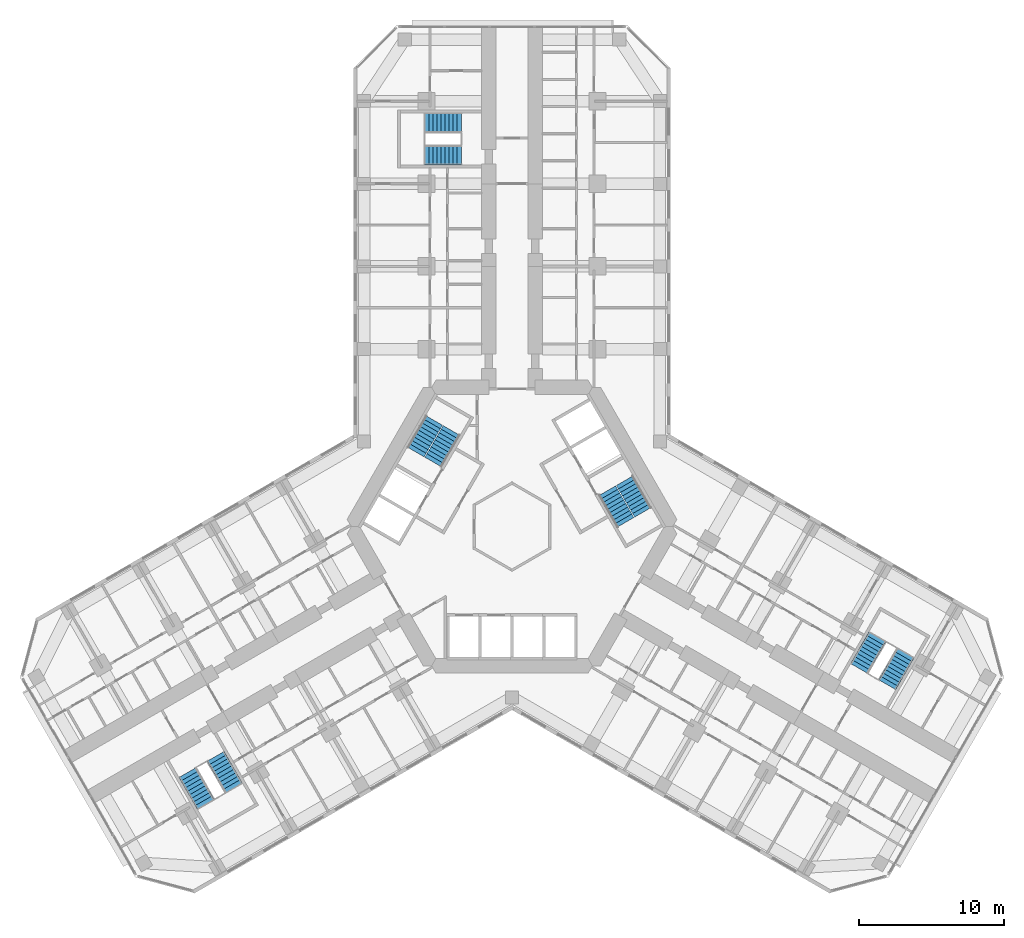
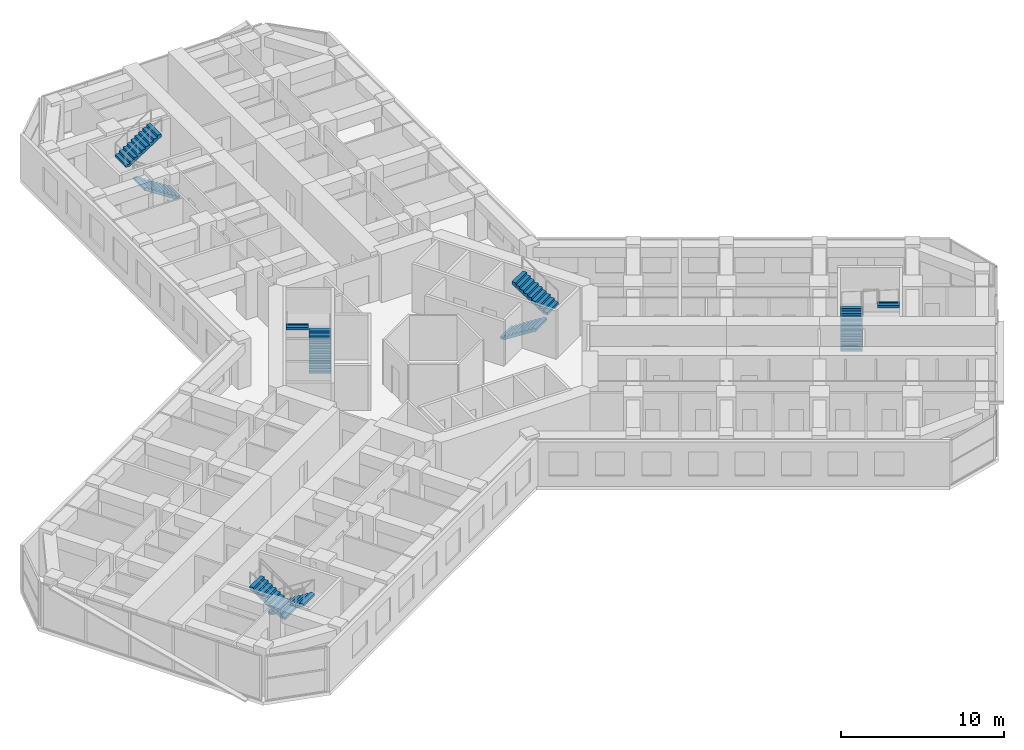
# One storey, part 21 of 22: 10 stair flights, 5 elements without a shape of their own.
"""IFC4 building model written with IfcOpenShell, lengths in metres."""

from ifc_helpers import new_model, si_unit, direction, frame, origin, place, context, subcontext, project, spatial, polyline, outline, extrude, material, type_object, element, aggregate, save


model = new_model("IFC4")

# Units and contexts
model_context = context("Model", 3, precision=1e-05, world=origin(), true_north=direction((0.0, 1.0)))
body_context = subcontext(model_context, "Body", "Model", "MODEL_VIEW")
ifc_project = project(units=[si_unit("LENGTHUNIT", "METRE"), si_unit("AREAUNIT", "SQUARE_METRE"), si_unit("VOLUMEUNIT", "CUBIC_METRE"), si_unit("PLANEANGLEUNIT", "RADIAN"), si_unit("MASSUNIT", "GRAM", prefix="KILO")], contexts=[model_context])

# Site, building, storey
site_placement = place(None, origin())
site = spatial("IfcSite", under=ifc_project, at=site_placement, CompositionType="ELEMENT")
building_placement = place(site_placement, origin())
building = spatial("IfcBuilding", under=site, at=building_placement, Name="Kosmar Iwan School Tower", CompositionType="ELEMENT")
storey_placement = place(building_placement, frame((0.0, 0.0, 95.199951171875)))
storey = spatial("IfcBuildingStorey", under=building, at=storey_placement, Name="L23", CompositionType="ELEMENT", Elevation=95.199951171875)

# Stair, stair flights
ifc_material_1 = material(Name="Concrete C35/45", Category="concrete")
stair_type_1 = type_object("IfcStairType", Name="Escape stair 3600", PredefinedType="HALF_TURN_STAIR", material=ifc_material_1)
stair_1_placement = place(storey_placement, origin())
stair_1 = element("IfcStair", 1, at=stair_1_placement, inside=storey, type_object=stair_type_1, Name="Stair WS1 L23", PredefinedType="HALF_TURN_STAIR")
ifc_material_2 = material(Name="Concrete C35/45", Category="concrete")
stair_flight_type_1 = type_object("IfcStairFlightType", Name="Escape stair flight 1350", PredefinedType="STRAIGHT", material=ifc_material_2)
stair_flight_1_placement = place(storey_placement, frame((-3.5, 25.625, 0.0), z_axis=(0.0, 0.0, 1.0), x_axis=(-1.0, 0.0, 0.0)))
stair_flight_1 = element("IfcStairFlight", 2, at=stair_flight_1_placement, type_object=stair_flight_type_1, Name="WS1 flight 1", NumberOfRisers=10, NumberOfTreads=9, PredefinedType="STRAIGHT", RiserHeight=0.18, TreadLength=0.28, context=body_context, shape_type="SweptSolid", body=[
    extrude(outline(polyline([(0.0, 0.0), (0.0, 0.179931640625), (0.280029296875, 0.179931640625), (0.280029296875, 0.360107421875), (0.56005859375, 0.360107421875), (0.56005859375, 0.5400390625), (0.840087890625, 0.5400390625), (0.840087890625, 0.719970703125), (1.1201171875, 0.719970703125), (1.1201171875, 0.89990234375), (1.39990234375, 0.89990234375), (1.39990234375, 1.080078125), (1.679931640625, 1.080078125), (1.679931640625, 1.260009765625), (1.9599609375, 1.260009765625), (1.9599609375, 1.43994140625), (2.239990234375, 1.43994140625), (2.239990234375, 1.6201171875), (2.52001953125, 1.6201171875), (2.52001953125, 1.800048828125), (2.52001953125, 1.44189453125), (0.277099609375, 0.0), (0.0, 0.0)])), frame((0.0, 0.675048828125, 0.0), z_axis=(0.0, -1.0, 0.0), x_axis=(1.0, 0.0, 0.0)), (0.0, 0.0, 1.0), 1.35009765625),
])
stair_flight_2_placement = place(storey_placement, frame((-6.02001953125, 27.875, 1.800048828125), z_axis=(0.0, 0.0, 1.0), x_axis=(1.0, 0.0, 0.0)))
stair_flight_2 = element("IfcStairFlight", 3, at=stair_flight_2_placement, type_object=stair_flight_type_1, Name="WS1 flight 2", NumberOfRisers=10, NumberOfTreads=9, PredefinedType="STRAIGHT", RiserHeight=0.18, TreadLength=0.28, context=body_context, shape_type="SweptSolid", body=[
    extrude(outline(polyline([(0.0, 0.0), (0.0, 0.179931640625), (0.280029296875, 0.179931640625), (0.280029296875, 0.360107421875), (0.56005859375, 0.360107421875), (0.56005859375, 0.5400390625), (0.840087890625, 0.5400390625), (0.840087890625, 0.719970703125), (1.1201171875, 0.719970703125), (1.1201171875, 0.89990234375), (1.39990234375, 0.89990234375), (1.39990234375, 1.080078125), (1.679931640625, 1.080078125), (1.679931640625, 1.260009765625), (1.9599609375, 1.260009765625), (1.9599609375, 1.43994140625), (2.239990234375, 1.43994140625), (2.239990234375, 1.6201171875), (2.52001953125, 1.6201171875), (2.52001953125, 1.800048828125), (2.52001953125, 1.44189453125), (0.277099609375, 0.0), (0.0, 0.0)])), frame((0.0, 0.675048828125, 0.0), z_axis=(0.0, -1.0, 0.0), x_axis=(1.0, 0.0, 0.0)), (0.0, 0.0, 1.0), 1.35009765625),
])
aggregate(stair_1, [stair_flight_1, stair_flight_2])

stair_2_placement = place(storey_placement, origin())
stair_2 = element("IfcStair", 4, at=stair_2_placement, inside=storey, type_object=stair_type_1, Name="Stair WS2 L23", PredefinedType="HALF_TURN_STAIR")
stair_flight_3_placement = place(storey_placement, frame((-20.44189453125, -15.843505859375, 0.0), z_axis=(0.0, 0.0, 1.0), x_axis=(0.5, -0.866025403784, 0.0)))
stair_flight_3 = element("IfcStairFlight", 5, at=stair_flight_3_placement, type_object=stair_flight_type_1, Name="WS2 flight 1", NumberOfRisers=10, NumberOfTreads=9, PredefinedType="STRAIGHT", RiserHeight=0.18, TreadLength=0.28, context=body_context, shape_type="SweptSolid", body=[
    extrude(outline(polyline([(0.0, 0.0), (0.0, 0.179931640625), (0.280029296875, 0.179931640625), (0.280029296875, 0.360107421875), (0.56005859375, 0.360107421875), (0.56005859375, 0.5400390625), (0.840087890625, 0.5400390625), (0.840087890625, 0.719970703125), (1.1201171875, 0.719970703125), (1.1201171875, 0.89990234375), (1.39990234375, 0.89990234375), (1.39990234375, 1.080078125), (1.679931640625, 1.080078125), (1.679931640625, 1.260009765625), (1.9599609375, 1.260009765625), (1.9599609375, 1.43994140625), (2.239990234375, 1.43994140625), (2.239990234375, 1.6201171875), (2.52001953125, 1.6201171875), (2.52001953125, 1.800048828125), (2.52001953125, 1.44189453125), (0.277099609375, 0.0), (0.0, 0.0)])), frame((0.0, 0.675048828125, 0.0), z_axis=(0.0, -1.0, 0.0), x_axis=(1.0, 0.0, 0.0)), (0.0, 0.0, 1.0), 1.35009765625),
])
stair_flight_4_placement = place(storey_placement, frame((-21.13037109375, -19.15087890625, 1.800048828125), z_axis=(0.0, 0.0, 1.0), x_axis=(-0.5, 0.866025403784, 0.0)))
stair_flight_4 = element("IfcStairFlight", 6, at=stair_flight_4_placement, type_object=stair_flight_type_1, Name="WS2 flight 2", NumberOfRisers=10, NumberOfTreads=9, PredefinedType="STRAIGHT", RiserHeight=0.18, TreadLength=0.28, context=body_context, shape_type="SweptSolid", body=[
    extrude(outline(polyline([(0.0, 0.0), (0.0, 0.179931640625), (0.280029296875, 0.179931640625), (0.280029296875, 0.360107421875), (0.56005859375, 0.360107421875), (0.56005859375, 0.5400390625), (0.840087890625, 0.5400390625), (0.840087890625, 0.719970703125), (1.1201171875, 0.719970703125), (1.1201171875, 0.89990234375), (1.39990234375, 0.89990234375), (1.39990234375, 1.080078125), (1.679931640625, 1.080078125), (1.679931640625, 1.260009765625), (1.9599609375, 1.260009765625), (1.9599609375, 1.43994140625), (2.239990234375, 1.43994140625), (2.239990234375, 1.6201171875), (2.52001953125, 1.6201171875), (2.52001953125, 1.800048828125), (2.52001953125, 1.44189453125), (0.277099609375, 0.0), (0.0, 0.0)])), frame((0.0, 0.675048828125, 0.0), z_axis=(0.0, -1.0, 0.0), x_axis=(1.0, 0.0, 0.0)), (0.0, 0.0, 1.0), 1.35009765625),
])
aggregate(stair_2, [stair_flight_3, stair_flight_4])

stair_3_placement = place(storey_placement, origin())
stair_3 = element("IfcStair", 7, at=stair_3_placement, inside=storey, type_object=stair_type_1, Name="Stair WS3 L23", PredefinedType="HALF_TURN_STAIR")
stair_flight_5_placement = place(storey_placement, frame((23.94189453125, -9.781494140625, 0.0), z_axis=(0.0, 0.0, 1.0), x_axis=(0.5, 0.866025403784, 0.0)))
stair_flight_5 = element("IfcStairFlight", 8, at=stair_flight_5_placement, type_object=stair_flight_type_1, Name="WS3 flight 1", NumberOfRisers=10, NumberOfTreads=9, PredefinedType="STRAIGHT", RiserHeight=0.18, TreadLength=0.28, context=body_context, shape_type="SweptSolid", body=[
    extrude(outline(polyline([(0.0, 0.0), (0.0, 0.179931640625), (0.280029296875, 0.179931640625), (0.280029296875, 0.360107421875), (0.56005859375, 0.360107421875), (0.56005859375, 0.5400390625), (0.840087890625, 0.5400390625), (0.840087890625, 0.719970703125), (1.1201171875, 0.719970703125), (1.1201171875, 0.89990234375), (1.39990234375, 0.89990234375), (1.39990234375, 1.080078125), (1.679931640625, 1.080078125), (1.679931640625, 1.260009765625), (1.9599609375, 1.260009765625), (1.9599609375, 1.43994140625), (2.239990234375, 1.43994140625), (2.239990234375, 1.6201171875), (2.52001953125, 1.6201171875), (2.52001953125, 1.800048828125), (2.52001953125, 1.44189453125), (0.277099609375, 0.0), (0.0, 0.0)])), frame((0.0, 0.675048828125, 0.0), z_axis=(0.0, -1.0, 0.0), x_axis=(1.0, 0.0, 0.0)), (0.0, 0.0, 1.0), 1.35009765625),
])
stair_flight_6_placement = place(storey_placement, frame((27.150390625, -8.72412109375, 1.800048828125), z_axis=(0.0, 0.0, 1.0), x_axis=(-0.5, -0.866025403784, 0.0)))
stair_flight_6 = element("IfcStairFlight", 9, at=stair_flight_6_placement, type_object=stair_flight_type_1, Name="WS3 flight 2", NumberOfRisers=10, NumberOfTreads=9, PredefinedType="STRAIGHT", RiserHeight=0.18, TreadLength=0.28, context=body_context, shape_type="SweptSolid", body=[
    extrude(outline(polyline([(0.0, 0.0), (0.0, 0.179931640625), (0.280029296875, 0.179931640625), (0.280029296875, 0.360107421875), (0.56005859375, 0.360107421875), (0.56005859375, 0.5400390625), (0.840087890625, 0.5400390625), (0.840087890625, 0.719970703125), (1.1201171875, 0.719970703125), (1.1201171875, 0.89990234375), (1.39990234375, 0.89990234375), (1.39990234375, 1.080078125), (1.679931640625, 1.080078125), (1.679931640625, 1.260009765625), (1.9599609375, 1.260009765625), (1.9599609375, 1.43994140625), (2.239990234375, 1.43994140625), (2.239990234375, 1.6201171875), (2.52001953125, 1.6201171875), (2.52001953125, 1.800048828125), (2.52001953125, 1.44189453125), (0.277099609375, 0.0), (0.0, 0.0)])), frame((0.0, 0.675048828125, 0.0), z_axis=(0.0, -1.0, 0.0), x_axis=(1.0, 0.0, 0.0)), (0.0, 0.0, 1.0), 1.35009765625),
])
aggregate(stair_3, [stair_flight_5, stair_flight_6])

ifc_material_3 = material(Name="Concrete C35/45", Category="concrete")
stair_type_2 = type_object("IfcStairType", Name="Core stair 2750", PredefinedType="HALF_TURN_STAIR", material=ifc_material_3)
stair_4_placement = place(storey_placement, origin())
stair_4 = element("IfcStair", 10, at=stair_4_placement, inside=storey, type_object=stair_type_2, Name="Stair ST2 L23", PredefinedType="HALF_TURN_STAIR")
ifc_material_4 = material(Name="Concrete C35/45", Category="concrete")
stair_flight_type_2 = type_object("IfcStairFlightType", Name="Stair flight 1350", PredefinedType="STRAIGHT", material=ifc_material_4)
stair_flight_7_placement = place(storey_placement, frame((-5.42724609375, 4.44970703125, 0.0), z_axis=(0.0, 0.0, 1.0), x_axis=(0.5, 0.866025403784, 0.0)))
stair_flight_7 = element("IfcStairFlight", 11, at=stair_flight_7_placement, type_object=stair_flight_type_2, Name="ST2 flight 1", NumberOfRisers=10, NumberOfTreads=9, PredefinedType="STRAIGHT", RiserHeight=0.18, TreadLength=0.28, context=body_context, shape_type="SweptSolid", body=[
    extrude(outline(polyline([(0.0, 0.0), (0.0, 0.179931640625), (0.280029296875, 0.179931640625), (0.280029296875, 0.360107421875), (0.56005859375, 0.360107421875), (0.56005859375, 0.5400390625), (0.840087890625, 0.5400390625), (0.840087890625, 0.719970703125), (1.1201171875, 0.719970703125), (1.1201171875, 0.89990234375), (1.39990234375, 0.89990234375), (1.39990234375, 1.080078125), (1.679931640625, 1.080078125), (1.679931640625, 1.260009765625), (1.9599609375, 1.260009765625), (1.9599609375, 1.43994140625), (2.239990234375, 1.43994140625), (2.239990234375, 1.6201171875), (2.52001953125, 1.6201171875), (2.52001953125, 1.800048828125), (2.52001953125, 1.44189453125), (0.277099609375, 0.0), (0.0, 0.0)])), frame((0.0, 0.675048828125, 0.0), z_axis=(0.0, -1.0, 0.0), x_axis=(1.0, 0.0, 0.0)), (0.0, 0.0, 1.0), 1.35009765625),
])
stair_flight_8_placement = place(storey_placement, frame((-5.379638671875, 7.33203125, 1.800048828125), z_axis=(0.0, 0.0, 1.0), x_axis=(-0.5, -0.866025403784, 0.0)))
stair_flight_8 = element("IfcStairFlight", 12, at=stair_flight_8_placement, type_object=stair_flight_type_2, Name="ST2 flight 2", NumberOfRisers=10, NumberOfTreads=9, PredefinedType="STRAIGHT", RiserHeight=0.18, TreadLength=0.28, context=body_context, shape_type="SweptSolid", body=[
    extrude(outline(polyline([(0.0, 0.0), (0.0, 0.179931640625), (0.280029296875, 0.179931640625), (0.280029296875, 0.360107421875), (0.56005859375, 0.360107421875), (0.56005859375, 0.5400390625), (0.840087890625, 0.5400390625), (0.840087890625, 0.719970703125), (1.1201171875, 0.719970703125), (1.1201171875, 0.89990234375), (1.39990234375, 0.89990234375), (1.39990234375, 1.080078125), (1.679931640625, 1.080078125), (1.679931640625, 1.260009765625), (1.9599609375, 1.260009765625), (1.9599609375, 1.43994140625), (2.239990234375, 1.43994140625), (2.239990234375, 1.6201171875), (2.52001953125, 1.6201171875), (2.52001953125, 1.800048828125), (2.52001953125, 1.44189453125), (0.277099609375, 0.0), (0.0, 0.0)])), frame((0.0, 0.675048828125, 0.0), z_axis=(0.0, -1.0, 0.0), x_axis=(1.0, 0.0, 0.0)), (0.0, 0.0, 1.0), 1.35009765625),
])
aggregate(stair_4, [stair_flight_7, stair_flight_8])

stair_5_placement = place(storey_placement, origin())
stair_5 = element("IfcStair", 13, at=stair_5_placement, inside=storey, type_object=stair_type_2, Name="Stair ST1 L23", PredefinedType="HALF_TURN_STAIR")
stair_flight_9_placement = place(storey_placement, frame((6.567138671875, 2.475341796875, 0.0), z_axis=(0.0, 0.0, 1.0), x_axis=(0.5, -0.866025403784, 0.0)))
stair_flight_9 = element("IfcStairFlight", 14, at=stair_flight_9_placement, type_object=stair_flight_type_2, Name="ST1 flight 1", NumberOfRisers=10, NumberOfTreads=9, PredefinedType="STRAIGHT", RiserHeight=0.18, TreadLength=0.28, context=body_context, shape_type="SweptSolid", body=[
    extrude(outline(polyline([(0.0, 0.0), (0.0, 0.179931640625), (0.280029296875, 0.179931640625), (0.280029296875, 0.360107421875), (0.56005859375, 0.360107421875), (0.56005859375, 0.5400390625), (0.840087890625, 0.5400390625), (0.840087890625, 0.719970703125), (1.1201171875, 0.719970703125), (1.1201171875, 0.89990234375), (1.39990234375, 0.89990234375), (1.39990234375, 1.080078125), (1.679931640625, 1.080078125), (1.679931640625, 1.260009765625), (1.9599609375, 1.260009765625), (1.9599609375, 1.43994140625), (2.239990234375, 1.43994140625), (2.239990234375, 1.6201171875), (2.52001953125, 1.6201171875), (2.52001953125, 1.800048828125), (2.52001953125, 1.44189453125), (0.277099609375, 0.0), (0.0, 0.0)])), frame((0.0, 0.675048828125, 0.0), z_axis=(0.0, -1.0, 0.0), x_axis=(1.0, 0.0, 0.0)), (0.0, 0.0, 1.0), 1.35009765625),
])
stair_flight_10_placement = place(storey_placement, frame((9.03955078125, 0.992919921875, 1.800048828125), z_axis=(0.0, 0.0, 1.0), x_axis=(-0.5, 0.866025403784, 0.0)))
stair_flight_10 = element("IfcStairFlight", 15, at=stair_flight_10_placement, type_object=stair_flight_type_2, Name="ST1 flight 2", NumberOfRisers=10, NumberOfTreads=9, PredefinedType="STRAIGHT", RiserHeight=0.18, TreadLength=0.28, context=body_context, shape_type="SweptSolid", body=[
    extrude(outline(polyline([(0.0, 0.0), (0.0, 0.179931640625), (0.280029296875, 0.179931640625), (0.280029296875, 0.360107421875), (0.56005859375, 0.360107421875), (0.56005859375, 0.5400390625), (0.840087890625, 0.5400390625), (0.840087890625, 0.719970703125), (1.1201171875, 0.719970703125), (1.1201171875, 0.89990234375), (1.39990234375, 0.89990234375), (1.39990234375, 1.080078125), (1.679931640625, 1.080078125), (1.679931640625, 1.260009765625), (1.9599609375, 1.260009765625), (1.9599609375, 1.43994140625), (2.239990234375, 1.43994140625), (2.239990234375, 1.6201171875), (2.52001953125, 1.6201171875), (2.52001953125, 1.800048828125), (2.52001953125, 1.44189453125), (0.277099609375, 0.0), (0.0, 0.0)])), frame((0.0, 0.675048828125, 0.0), z_axis=(0.0, -1.0, 0.0), x_axis=(1.0, 0.0, 0.0)), (0.0, 0.0, 1.0), 1.35009765625),
])
aggregate(stair_5, [stair_flight_9, stair_flight_10])

save(model, "model.ifc")
